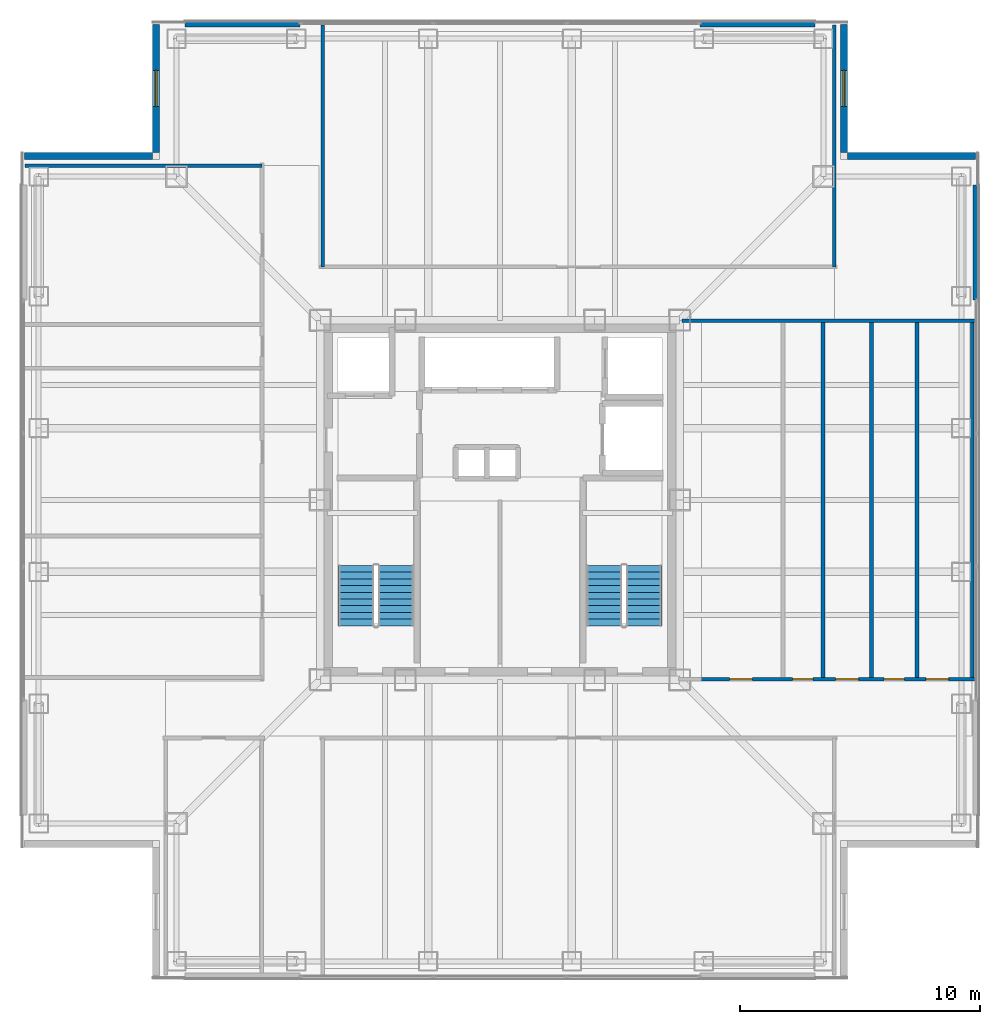
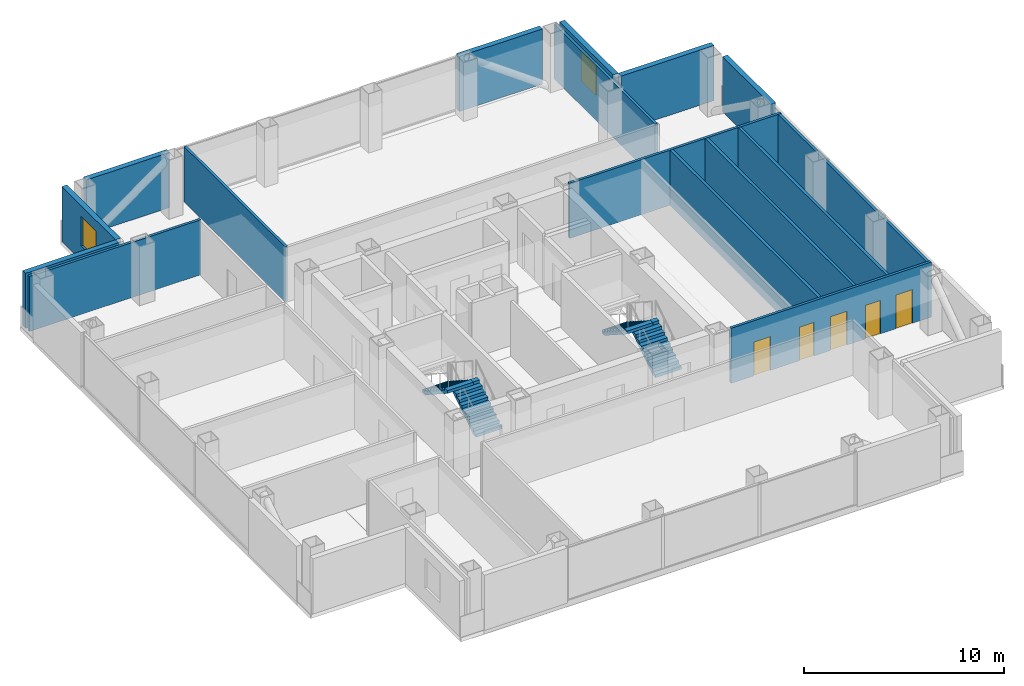
# One storey, part 10 of 16: 16 walls, 5 doors, 4 stair flights, 2 windows, 7 openings, 2 elements without a shape of their own.
"""IFC4 building model written with IfcOpenShell, lengths in metres."""

from ifc_helpers import new_model, si_unit, direction, frame, frame_2d, origin, place, context, subcontext, project, spatial, polyline, rectangle, outline, extrude, material, layer, layer_set, type_object, element, fill, aggregate, save


model = new_model("IFC4")

# Units and contexts
model_context = context("Model", 3, precision=1e-05, world=origin(), true_north=direction((0.0, 1.0)))
body_context = subcontext(model_context, "Body", "Model", "MODEL_VIEW")
ifc_project = project(units=[si_unit("LENGTHUNIT", "METRE"), si_unit("AREAUNIT", "SQUARE_METRE"), si_unit("VOLUMEUNIT", "CUBIC_METRE"), si_unit("PLANEANGLEUNIT", "RADIAN"), si_unit("MASSUNIT", "GRAM", prefix="KILO")], contexts=[model_context])

# Site, building, storey
site_placement = place(None, origin())
site = spatial("IfcSite", under=ifc_project, at=site_placement, CompositionType="ELEMENT")
building_placement = place(site_placement, origin())
building = spatial("IfcBuilding", under=site, at=building_placement, Name="Trevonay Congress Spire", CompositionType="ELEMENT")
storey_placement = place(building_placement, frame((0.0, 0.0, 202.199951171875)))
storey = spatial("IfcBuildingStorey", under=building, at=storey_placement, Name="L52", CompositionType="ELEMENT", Elevation=202.199951171875)

# Wall, openings, doors
ifc_material_1 = material(Name="Concrete C40/50", Category="concrete")
ifc_layer_1 = layer(ifc_material_1, 0.14990234375, Name="Concrete C40/50")
ifc_layer_set_1 = layer_set([ifc_layer_1], Name="Concrete C40/50")
wall_type_1 = type_object("IfcWallType", Name="WAL-CORR-150", PredefinedType="PARTITIONING", material=ifc_layer_set_1)
wall_1_placement = place(storey_placement, frame((8.280029296875, -7.47998046875, 0.0), z_axis=(0.0, 0.0, 1.0), x_axis=(1.0, 0.0, 0.0)))
wall_1 = element("IfcWall", 1, at=wall_1_placement, inside=storey, type_object=wall_type_1, Name="L52 interior wall WP-L52E-COR", PredefinedType="PARTITIONING", context=body_context, shape_type="SweptSolid", body=[
    extrude(rectangle(XDim=11.5400390625, YDim=0.14990234375, at=frame_2d((5.77001953125, 0.0))), origin(), (0.0, 0.0, 1.0), 3.360107421875),
])
opening_1_placement = place(wall_1_placement, frame((1.304931640625, 0.0, 0.0)))
opening_1 = element("IfcOpeningElement", 2, at=opening_1_placement, cuts=wall_1, Name="Opening D07", PredefinedType="OPENING", context=body_context, shape_type="SweptSolid", body=[
    extrude(rectangle(XDim=0.949951171875, YDim=2.06005859375, at=frame_2d((0.47509765625, 1.030029296875))), frame((0.0, 0.0849609375, 0.0), z_axis=(0.0, -1.0, 0.0), x_axis=(1.0, 0.0, 0.0)), (0.0, 0.0, 1.0), 0.169921875),
])
opening_2_placement = place(wall_1_placement, frame((3.929931640625, 0.0, 0.0)))
opening_2 = element("IfcOpeningElement", 3, at=opening_2_placement, cuts=wall_1, Name="Opening D10", PredefinedType="OPENING", context=body_context, shape_type="SweptSolid", body=[
    extrude(rectangle(XDim=0.85009765625, YDim=2.050048828125, at=frame_2d((0.425048828125, 1.02490234375))), frame((0.0, 0.0849609375, 0.0), z_axis=(0.0, -1.0, 0.0), x_axis=(1.0, 0.0, 0.0)), (0.0, 0.0, 1.0), 0.169921875),
])
opening_3_placement = place(wall_1_placement, frame((5.72998046875, 0.0, 0.0)))
opening_3 = element("IfcOpeningElement", 4, at=opening_3_placement, cuts=wall_1, Name="Opening D07", PredefinedType="OPENING", context=body_context, shape_type="SweptSolid", body=[
    extrude(rectangle(XDim=0.949951171875, YDim=2.06005859375, at=frame_2d((0.47509765625, 1.030029296875))), frame((0.0, 0.0849609375, 0.0), z_axis=(0.0, -1.0, 0.0), x_axis=(1.0, 0.0, 0.0)), (0.0, 0.0, 1.0), 0.169921875),
])
opening_4_placement = place(wall_1_placement, frame((7.7451171875, 0.0, 0.0)))
opening_4 = element("IfcOpeningElement", 5, at=opening_4_placement, cuts=wall_1, Name="Opening D10", PredefinedType="OPENING", context=body_context, shape_type="SweptSolid", body=[
    extrude(rectangle(XDim=0.85009765625, YDim=2.050048828125, at=frame_2d((0.425048828125, 1.02490234375))), frame((0.0, 0.0849609375, 0.0), z_axis=(0.0, -1.0, 0.0), x_axis=(1.0, 0.0, 0.0)), (0.0, 0.0, 1.0), 0.169921875),
])
opening_5_placement = place(wall_1_placement, frame((9.4951171875, 0.0, 0.0)))
opening_5 = element("IfcOpeningElement", 6, at=opening_5_placement, cuts=wall_1, Name="Opening D07", PredefinedType="OPENING", context=body_context, shape_type="SweptSolid", body=[
    extrude(rectangle(XDim=0.949951171875, YDim=2.06005859375, at=frame_2d((0.47509765625, 1.030029296875))), frame((0.0, 0.0849609375, 0.0), z_axis=(0.0, -1.0, 0.0), x_axis=(1.0, 0.0, 0.0)), (0.0, 0.0, 1.0), 0.169921875),
])
ifc_material_2 = material(Name="Pale Anodised Aluminium EN AW-6063-T6", Category="aluminium")
door_type_1 = type_object("IfcDoorType", Name="DOR-OFFICE-95", OperationType="NOTDEFINED", PredefinedType="DOOR", material=ifc_material_2)
door_1_placement = place(opening_1_placement, origin())
door_1 = element("IfcDoor", 7, at=door_1_placement, inside=storey, type_object=door_type_1, Name="L52 Juice Bar Kitchenette Door", OperationType="SINGLE_SWING_RIGHT", OverallHeight=2.06005859375, OverallWidth=0.949951171875, PredefinedType="DOOR", context=body_context, shape_type="SweptSolid", body=[
    extrude(rectangle(XDim=0.949951171875, YDim=2.06005859375, at=frame_2d((0.47509765625, 1.030029296875))), frame((0.0, 0.02490234375, 0.0), z_axis=(0.0, -1.0, 0.0), x_axis=(1.0, 0.0, 0.0)), (0.0, 0.0, 1.0), 0.050048828125),
])
fill(opening_1, door_1)
door_2_placement = place(opening_3_placement, origin())
door_2 = element("IfcDoor", 8, at=door_2_placement, inside=storey, type_object=door_type_1, Name="L52 Floor Supplies and Copy Room Door", OperationType="SINGLE_SWING_RIGHT", OverallHeight=2.06005859375, OverallWidth=0.949951171875, PredefinedType="DOOR", context=body_context, shape_type="SweptSolid", body=[
    extrude(rectangle(XDim=0.949951171875, YDim=2.06005859375, at=frame_2d((0.47509765625, 1.030029296875))), frame((0.0, 0.02490234375, 0.0), z_axis=(0.0, -1.0, 0.0), x_axis=(1.0, 0.0, 0.0)), (0.0, 0.0, 1.0), 0.050048828125),
])
fill(opening_3, door_2)
door_3_placement = place(opening_5_placement, origin())
door_3 = element("IfcDoor", 9, at=door_3_placement, inside=storey, type_object=door_type_1, Name="L52 Floor Supplies and Copy Room Door", OperationType="SINGLE_SWING_RIGHT", OverallHeight=2.06005859375, OverallWidth=0.949951171875, PredefinedType="DOOR", context=body_context, shape_type="SweptSolid", body=[
    extrude(rectangle(XDim=0.949951171875, YDim=2.06005859375, at=frame_2d((0.47509765625, 1.030029296875))), frame((0.0, 0.02490234375, 0.0), z_axis=(0.0, -1.0, 0.0), x_axis=(1.0, 0.0, 0.0)), (0.0, 0.0, 1.0), 0.050048828125),
])
fill(opening_5, door_3)
door_type_2 = type_object("IfcDoorType", Name="DOR-WC-85", OperationType="NOTDEFINED", PredefinedType="DOOR", material=ifc_material_2)
door_4_placement = place(opening_2_placement, origin())
door_4 = element("IfcDoor", 10, at=door_4_placement, inside=storey, type_object=door_type_2, Name="L52 Female Restroom WC Door", OperationType="SINGLE_SWING_LEFT", OverallHeight=2.050048828125, OverallWidth=0.85009765625, PredefinedType="DOOR", context=body_context, shape_type="SweptSolid", body=[
    extrude(rectangle(XDim=0.85009765625, YDim=2.050048828125, at=frame_2d((0.425048828125, 1.02490234375))), frame((0.0, 0.02490234375, 0.0), z_axis=(0.0, -1.0, 0.0), x_axis=(1.0, 0.0, 0.0)), (0.0, 0.0, 1.0), 0.050048828125),
])
fill(opening_2, door_4)
door_5_placement = place(opening_4_placement, origin())
door_5 = element("IfcDoor", 11, at=door_5_placement, inside=storey, type_object=door_type_2, Name="L52 Male Restroom WC Door", OperationType="SINGLE_SWING_LEFT", OverallHeight=2.050048828125, OverallWidth=0.85009765625, PredefinedType="DOOR", context=body_context, shape_type="SweptSolid", body=[
    extrude(rectangle(XDim=0.85009765625, YDim=2.050048828125, at=frame_2d((0.425048828125, 1.02490234375))), frame((0.0, 0.02490234375, 0.0), z_axis=(0.0, -1.0, 0.0), x_axis=(1.0, 0.0, 0.0)), (0.0, 0.0, 1.0), 0.050048828125),
])
fill(opening_4, door_5)

# Walls
ifc_material_3 = material(Name="Precast concrete C40/50", Category="concrete")
ifc_layer_2 = layer(ifc_material_3, 0.300048828125, Name="Precast concrete C40/50")
ifc_layer_set_2 = layer_set([ifc_layer_2], Name="Precast concrete C40/50")
wall_type_2 = type_object("IfcWallType", Name="WAL-EXT-PRECAST-300", PredefinedType="SOLIDWALL", material=ifc_layer_set_2)
for number, where, z_axis, x_axis, name in (
    (12, (-13.14990234375, 19.8798828125, 0.0), (0.0, 0.0, 1.0), (1.0, 0.0, 0.0), "L52 NL braced-bay exterior pier wall"),
    (13, (8.35009765625, 19.8798828125, 0.0), (0.0, 0.0, 1.0), (1.0, 0.0, 0.0), "L52 NR braced-bay exterior pier wall"),
    (14, (19.8798828125, 8.35009765625, 0.0), (0.0, 0.0, 1.0), (0.0, 1.0, 0.0), "L52 ER braced-bay exterior pier wall"),
):
    element("IfcWall", number, at=place(storey_placement, frame(where, z_axis=z_axis, x_axis=x_axis)), inside=storey, type_object=wall_type_2, Name=name, PredefinedType="SOLIDWALL", context=body_context, shape_type="SweptSolid", body=[
        extrude(rectangle(XDim=4.7998046875, YDim=0.300048828125, at=frame_2d((2.39990234375, 0.0))), origin(), (0.0, 0.0, 1.0), 3.360107421875),
    ])

# Wall, opening, window
wall_2_placement = place(storey_placement, frame((14.35009765625, 19.85009765625, 0.0), z_axis=(0.0, 0.0, 1.0), x_axis=(0.0, -1.0, 0.0)))
wall_2 = element("IfcWall", 15, at=wall_2_placement, inside=storey, type_object=wall_type_2, Name="L52 NE re-entrant notch exterior wall 1", PredefinedType="SOLIDWALL", context=body_context, shape_type="SweptSolid", body=[
    extrude(rectangle(XDim=5.35009765625, YDim=0.300048828125, at=frame_2d((2.675048828125, 0.0))), origin(), (0.0, 0.0, 1.0), 3.360107421875),
])
opening_6_placement = place(wall_2_placement, frame((1.925048828125, 0.0, 0.89990234375)))
opening_6 = element("IfcOpeningElement", 16, at=opening_6_placement, cuts=wall_2, Name="Opening WN03", PredefinedType="OPENING", context=body_context, shape_type="SweptSolid", body=[
    extrude(rectangle(XDim=1.5, YDim=1.800048828125, at=frame_2d((0.75, 0.89990234375))), frame((0.0, 0.16015625, 0.0), z_axis=(0.0, -1.0, 0.0), x_axis=(1.0, 0.0, 0.0)), (0.0, 0.0, 1.0), 0.320068359375),
])
ifc_material_4 = material(Name="Insulated Low-E Vision Glass IGU", Category="glass")
window_type = type_object("IfcWindowType", Name="WIN-NOTCH-150X180", PartitioningType="SINGLE_PANEL", PredefinedType="WINDOW", material=ifc_material_4)
window_1_placement = place(opening_6_placement, origin())
window_1 = element("IfcWindow", 17, at=window_1_placement, inside=storey, type_object=window_type, Name="L52 NE corner notch window", OverallHeight=1.800048828125, OverallWidth=1.5, PartitioningType="SINGLE_PANEL", PredefinedType="WINDOW", context=body_context, shape_type="SweptSolid", body=[
    extrude(rectangle(XDim=1.5, YDim=1.800048828125, at=frame_2d((0.75, 0.89990234375))), frame((0.0, 0.030029296875, 0.0), z_axis=(0.0, -1.0, 0.0), x_axis=(1.0, 0.0, 0.0)), (0.0, 0.0, 1.0), 0.06005859375),
])
fill(opening_6, window_1)

# Wall
wall_3_placement = place(storey_placement, frame((19.85009765625, 14.35009765625, 0.0), z_axis=(0.0, 0.0, 1.0), x_axis=(-1.0, 0.0, 0.0)))
element("IfcWall", 18, at=wall_3_placement, inside=storey, type_object=wall_type_2, Name="L52 NE re-entrant notch exterior wall 2", PredefinedType="SOLIDWALL", context=body_context, shape_type="SweptSolid", body=[
    extrude(rectangle(XDim=5.35009765625, YDim=0.300048828125, at=frame_2d((2.675048828125, 0.0))), origin(), (0.0, 0.0, 1.0), 3.360107421875),
])

# Wall, opening, window
wall_4_placement = place(storey_placement, frame((-14.35009765625, 19.85009765625, 0.0), z_axis=(0.0, 0.0, 1.0), x_axis=(0.0, -1.0, 0.0)))
wall_4 = element("IfcWall", 19, at=wall_4_placement, inside=storey, type_object=wall_type_2, Name="L52 NW re-entrant notch exterior wall 1", PredefinedType="SOLIDWALL", context=body_context, shape_type="SweptSolid", body=[
    extrude(rectangle(XDim=5.35009765625, YDim=0.300048828125, at=frame_2d((2.675048828125, 0.0))), origin(), (0.0, 0.0, 1.0), 3.360107421875),
])
opening_7_placement = place(wall_4_placement, frame((1.925048828125, 0.0, 0.89990234375)))
opening_7 = element("IfcOpeningElement", 20, at=opening_7_placement, cuts=wall_4, Name="Opening WN03", PredefinedType="OPENING", context=body_context, shape_type="SweptSolid", body=[
    extrude(rectangle(XDim=1.5, YDim=1.800048828125, at=frame_2d((0.75, 0.89990234375))), frame((0.0, 0.16015625, 0.0), z_axis=(0.0, -1.0, 0.0), x_axis=(1.0, 0.0, 0.0)), (0.0, 0.0, 1.0), 0.320068359375),
])
window_2_placement = place(opening_7_placement, origin())
window_2 = element("IfcWindow", 21, at=window_2_placement, inside=storey, type_object=window_type, Name="L52 NW corner notch window", OverallHeight=1.800048828125, OverallWidth=1.5, PartitioningType="SINGLE_PANEL", PredefinedType="WINDOW", context=body_context, shape_type="SweptSolid", body=[
    extrude(rectangle(XDim=1.5, YDim=1.800048828125, at=frame_2d((0.75, 0.89990234375))), frame((0.0, 0.030029296875, 0.0), z_axis=(0.0, -1.0, 0.0), x_axis=(1.0, 0.0, 0.0)), (0.0, 0.0, 1.0), 0.06005859375),
])
fill(opening_7, window_2)

# Walls
wall_5_placement = place(storey_placement, frame((-19.85009765625, 14.35009765625, 0.0), z_axis=(0.0, 0.0, 1.0), x_axis=(1.0, 0.0, 0.0)))
element("IfcWall", 22, at=wall_5_placement, inside=storey, type_object=wall_type_2, Name="L52 NW re-entrant notch exterior wall 2", PredefinedType="SOLIDWALL", context=body_context, shape_type="SweptSolid", body=[
    extrude(rectangle(XDim=5.35009765625, YDim=0.300048828125, at=frame_2d((2.675048828125, 0.0))), origin(), (0.0, 0.0, 1.0), 3.360107421875),
])
ifc_layer_3 = layer(ifc_material_1, 0.14990234375, Name="Concrete C40/50")
ifc_layer_set_3 = layer_set([ifc_layer_3], Name="Concrete C40/50")
wall_type_3 = type_object("IfcWallType", Name="WAL-PART-150", PredefinedType="PARTITIONING", material=ifc_layer_set_3)
wall_6_placement = place(storey_placement, frame((-19.820068359375, 13.949951171875, 0.0), z_axis=(0.0, 0.0, 1.0), x_axis=(1.0, 0.0, 0.0)))
element("IfcWall", 23, at=wall_6_placement, inside=storey, type_object=wall_type_3, Name="L52 interior wall WP-L52NW-DIV4", PredefinedType="PARTITIONING", context=body_context, shape_type="SweptSolid", body=[
    extrude(rectangle(XDim=9.89013671875, YDim=0.14990234375, at=frame_2d((4.945068359375, 0.0))), origin(), (0.0, 0.0, 1.0), 3.360107421875),
])
for number, where, z_axis, x_axis, name in (
    (24, (-7.39990234375, 9.72998046875, 0.0), (0.0, 0.0, 1.0), (0.0, 1.0, 0.0), "L52 interior wall WP-L52N-DIV1"),
    (25, (13.949951171875, 9.72998046875, 0.0), (0.0, 0.0, 1.0), (0.0, 1.0, 0.0), "L52 interior wall WP-L52N-DIV2"),
):
    element("IfcWall", number, at=place(storey_placement, frame(where, z_axis=z_axis, x_axis=x_axis)), inside=storey, type_object=wall_type_3, Name=name, PredefinedType="PARTITIONING", context=body_context, shape_type="SweptSolid", body=[
        extrude(rectangle(XDim=10.090087890625, YDim=0.14990234375, at=frame_2d((5.044921875, 0.0))), origin(), (0.0, 0.0, 1.0), 3.360107421875),
    ])
wall_7_placement = place(storey_placement, frame((19.699951171875, -7.47998046875, 0.0), z_axis=(0.0, 0.0, 1.0), x_axis=(0.0, 1.0, 0.0)))
element("IfcWall", 26, at=wall_7_placement, inside=storey, type_object=wall_type_3, Name="L52 interior wall WP-L52E-DIV3", PredefinedType="PARTITIONING", context=body_context, shape_type="SweptSolid", body=[
    extrude(rectangle(XDim=14.89990234375, YDim=0.14990234375, at=frame_2d((7.449951171875, 0.0))), origin(), (0.0, 0.0, 1.0), 3.360107421875),
])
wall_8_placement = place(storey_placement, frame((7.60009765625, 7.47998046875, 0.0), z_axis=(0.0, 0.0, 1.0), x_axis=(1.0, 0.0, 0.0)))
element("IfcWall", 27, at=wall_8_placement, inside=storey, type_object=wall_type_3, Name="L52 interior wall WP-L52E-NCLS", PredefinedType="PARTITIONING", context=body_context, shape_type="SweptSolid", body=[
    extrude(rectangle(XDim=12.219970703125, YDim=0.14990234375, at=frame_2d((6.10986328125, 0.0))), origin(), (0.0, 0.0, 1.0), 3.360107421875),
])
ifc_layer_4 = layer(ifc_material_1, 0.1650390625, Name="Concrete C40/50")
ifc_layer_set_4 = layer_set([ifc_layer_4], Name="Concrete C40/50")
wall_type_4 = type_object("IfcWallType", Name="WAL-WET-165", PredefinedType="PLUMBINGWALL", material=ifc_layer_set_4)
for number, where, z_axis, x_axis, name in (
    (28, (13.469970703125, -7.47998046875, 0.0), (0.0, 0.0, 1.0), (0.0, 1.0, 0.0), "L52 interior wall WP-L52E-WCS2"),
    (29, (17.39990234375, -7.47998046875, 0.0), (0.0, 0.0, 1.0), (0.0, 1.0, 0.0), "L52 interior wall WP-L52E-WCS3"),
    (30, (15.5, -7.47998046875, 0.0), (0.0, 0.0, 1.0), (0.0, 1.0, 0.0), "L52 interior wall WP-L52E-DIV2"),
):
    element("IfcWall", number, at=place(storey_placement, frame(where, z_axis=z_axis, x_axis=x_axis)), inside=storey, type_object=wall_type_4, Name=name, PredefinedType="PLUMBINGWALL", context=body_context, shape_type="SweptSolid", body=[
        extrude(rectangle(XDim=14.89990234375, YDim=0.1650390625, at=frame_2d((7.449951171875, 0.0))), origin(), (0.0, 0.0, 1.0), 3.360107421875),
    ])

# Stair, stair flights
stair_type_1 = type_object("IfcStairType", Name="STR-ST-1", PredefinedType="HALF_TURN_STAIR", material=ifc_material_1)
stair_1_placement = place(storey_placement, origin())
stair_1 = element("IfcStair", 31, at=stair_1_placement, inside=storey, type_object=stair_type_1, Name="L52 Protected Exit Stair ST-1", PredefinedType="HALF_TURN_STAIR")
stair_flight_type_1 = type_object("IfcStairFlightType", Name="SFL-ST-1", PredefinedType="STRAIGHT", material=ifc_material_1)
stair_flight_1_placement = place(storey_placement, frame((-4.35009765625, -5.25, 0.0), z_axis=(0.0, 0.0, 1.0), x_axis=(0.0, 1.0, 0.0)))
stair_flight_1 = element("IfcStairFlight", 32, at=stair_flight_1_placement, type_object=stair_flight_type_1, Name="ST-1 flight 1", NumberOfRisers=10, NumberOfTreads=9, PredefinedType="STRAIGHT", RiserHeight=0.18, TreadLength=0.28, context=body_context, shape_type="SweptSolid", body=[
    extrude(outline(polyline([(0.0, 0.0), (0.0, 0.179931640625), (0.280029296875, 0.179931640625), (0.280029296875, 0.360107421875), (0.56005859375, 0.360107421875), (0.56005859375, 0.5400390625), (0.840087890625, 0.5400390625), (0.840087890625, 0.719970703125), (1.1201171875, 0.719970703125), (1.1201171875, 0.89990234375), (1.39990234375, 0.89990234375), (1.39990234375, 1.080078125), (1.679931640625, 1.080078125), (1.679931640625, 1.260009765625), (1.9599609375, 1.260009765625), (1.9599609375, 1.43994140625), (2.239990234375, 1.43994140625), (2.239990234375, 1.6201171875), (2.52001953125, 1.6201171875), (2.52001953125, 1.800048828125), (2.52001953125, 1.44189453125), (0.277099609375, 0.0), (0.0, 0.0)])), frame((0.0, 0.75, 0.0), z_axis=(0.0, -1.0, 0.0), x_axis=(1.0, 0.0, 0.0)), (0.0, 0.0, 1.0), 1.5),
])
stair_flight_2_placement = place(storey_placement, frame((-6.0, -2.72998046875, 1.800048828125), z_axis=(0.0, 0.0, 1.0), x_axis=(0.0, -1.0, 0.0)))
stair_flight_2 = element("IfcStairFlight", 33, at=stair_flight_2_placement, type_object=stair_flight_type_1, Name="ST-1 flight 2", NumberOfRisers=10, NumberOfTreads=9, PredefinedType="STRAIGHT", RiserHeight=0.18, TreadLength=0.28, context=body_context, shape_type="SweptSolid", body=[
    extrude(outline(polyline([(0.0, 0.0), (0.0, 0.179931640625), (0.280029296875, 0.179931640625), (0.280029296875, 0.360107421875), (0.56005859375, 0.360107421875), (0.56005859375, 0.5400390625), (0.840087890625, 0.5400390625), (0.840087890625, 0.719970703125), (1.1201171875, 0.719970703125), (1.1201171875, 0.89990234375), (1.39990234375, 0.89990234375), (1.39990234375, 1.080078125), (1.679931640625, 1.080078125), (1.679931640625, 1.260009765625), (1.9599609375, 1.260009765625), (1.9599609375, 1.43994140625), (2.239990234375, 1.43994140625), (2.239990234375, 1.6201171875), (2.52001953125, 1.6201171875), (2.52001953125, 1.800048828125), (2.52001953125, 1.44189453125), (0.277099609375, 0.0), (0.0, 0.0)])), frame((0.0, 0.75, 0.0), z_axis=(0.0, -1.0, 0.0), x_axis=(1.0, 0.0, 0.0)), (0.0, 0.0, 1.0), 1.5),
])
aggregate(stair_1, [stair_flight_1, stair_flight_2])

stair_type_2 = type_object("IfcStairType", Name="STR-ST-2", PredefinedType="HALF_TURN_STAIR", material=ifc_material_1)
stair_2_placement = place(storey_placement, origin())
stair_2 = element("IfcStair", 34, at=stair_2_placement, inside=storey, type_object=stair_type_2, Name="L52 Protected Exit Stair ST-2", PredefinedType="HALF_TURN_STAIR")
stair_flight_type_2 = type_object("IfcStairFlightType", Name="SFL-ST-2", PredefinedType="STRAIGHT", material=ifc_material_1)
stair_flight_3_placement = place(storey_placement, frame((6.0, -5.25, 0.0), z_axis=(0.0, 0.0, 1.0), x_axis=(0.0, 1.0, 0.0)))
stair_flight_3 = element("IfcStairFlight", 35, at=stair_flight_3_placement, type_object=stair_flight_type_2, Name="ST-2 flight 1", NumberOfRisers=10, NumberOfTreads=9, PredefinedType="STRAIGHT", RiserHeight=0.18, TreadLength=0.28, context=body_context, shape_type="SweptSolid", body=[
    extrude(outline(polyline([(0.0, 0.0), (0.0, 0.179931640625), (0.280029296875, 0.179931640625), (0.280029296875, 0.360107421875), (0.56005859375, 0.360107421875), (0.56005859375, 0.5400390625), (0.840087890625, 0.5400390625), (0.840087890625, 0.719970703125), (1.1201171875, 0.719970703125), (1.1201171875, 0.89990234375), (1.39990234375, 0.89990234375), (1.39990234375, 1.080078125), (1.679931640625, 1.080078125), (1.679931640625, 1.260009765625), (1.9599609375, 1.260009765625), (1.9599609375, 1.43994140625), (2.239990234375, 1.43994140625), (2.239990234375, 1.6201171875), (2.52001953125, 1.6201171875), (2.52001953125, 1.800048828125), (2.52001953125, 1.44189453125), (0.277099609375, 0.0), (0.0, 0.0)])), frame((0.0, 0.75, 0.0), z_axis=(0.0, -1.0, 0.0), x_axis=(1.0, 0.0, 0.0)), (0.0, 0.0, 1.0), 1.5),
])
stair_flight_4_placement = place(storey_placement, frame((4.35009765625, -2.72998046875, 1.800048828125), z_axis=(0.0, 0.0, 1.0), x_axis=(0.0, -1.0, 0.0)))
stair_flight_4 = element("IfcStairFlight", 36, at=stair_flight_4_placement, type_object=stair_flight_type_2, Name="ST-2 flight 2", NumberOfRisers=10, NumberOfTreads=9, PredefinedType="STRAIGHT", RiserHeight=0.18, TreadLength=0.28, context=body_context, shape_type="SweptSolid", body=[
    extrude(outline(polyline([(0.0, 0.0), (0.0, 0.179931640625), (0.280029296875, 0.179931640625), (0.280029296875, 0.360107421875), (0.56005859375, 0.360107421875), (0.56005859375, 0.5400390625), (0.840087890625, 0.5400390625), (0.840087890625, 0.719970703125), (1.1201171875, 0.719970703125), (1.1201171875, 0.89990234375), (1.39990234375, 0.89990234375), (1.39990234375, 1.080078125), (1.679931640625, 1.080078125), (1.679931640625, 1.260009765625), (1.9599609375, 1.260009765625), (1.9599609375, 1.43994140625), (2.239990234375, 1.43994140625), (2.239990234375, 1.6201171875), (2.52001953125, 1.6201171875), (2.52001953125, 1.800048828125), (2.52001953125, 1.44189453125), (0.277099609375, 0.0), (0.0, 0.0)])), frame((0.0, 0.75, 0.0), z_axis=(0.0, -1.0, 0.0), x_axis=(1.0, 0.0, 0.0)), (0.0, 0.0, 1.0), 1.5),
])
aggregate(stair_2, [stair_flight_3, stair_flight_4])

save(model, "model.ifc")
